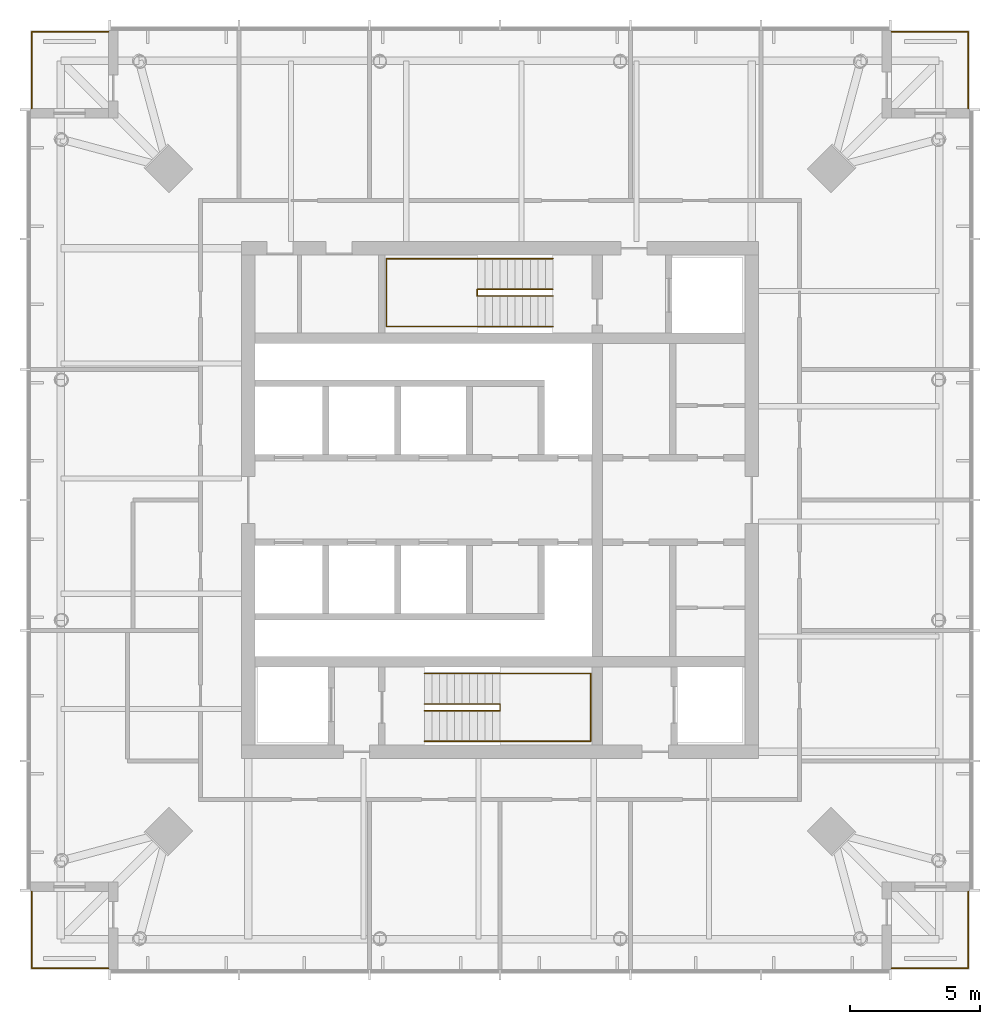
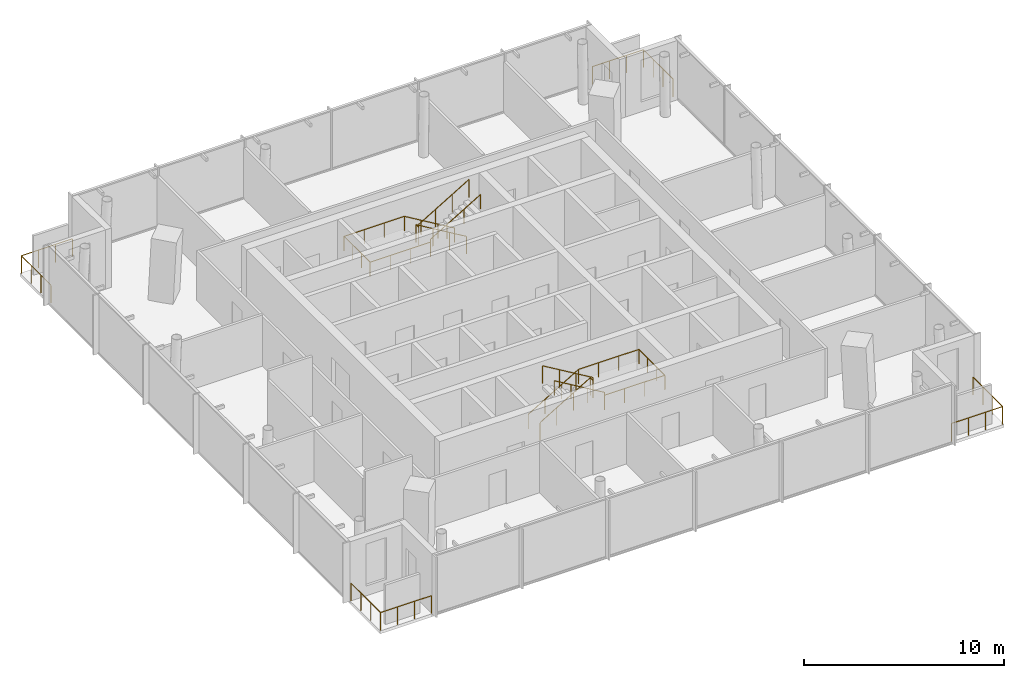
# One storey, part 7 of 7: 8 railings.
"""IFC4 building model written with IfcOpenShell, lengths in metres."""

import ifcopenshell
import ifcopenshell.guid

model = None  # the IFC model being written
_history = None  # IfcOwnerHistory: only IFC2X3 demands one
_inside = {}  # id of a spatial element -> (the spatial element, [elements in it])
_under = {}  # id of a project, library or spatial element -> (it, [spatial elements below it])
_declared = {}  # id of a project -> (the project, [libraries it declares])
_typed = {}  # id of a type object -> (the type object, [elements of that type])
_made_of = {}  # id of a material, layer set ... -> (it, [elements and type objects made of it])


def new_model(schema):
    """Start an empty IFC model of exactly this schema.

    Asked for "IFC4X3", IfcOpenShell would pick the latest addendum, in which some entities
    have other attributes; the version numbers below select the first issue.
    IFC2X3 requires an IfcOwnerHistory on every rooted entity: one is made here for all.
    """
    global model, _history
    if schema == "IFC4X3":
        model = ifcopenshell.file(schema_version=(4, 3, 0, 0))
    else:
        model = ifcopenshell.file(schema=schema)
    _inside.clear()
    _under.clear()
    _declared.clear()
    _typed.clear()
    _made_of.clear()
    _history = None
    if model.schema == "IFC2X3":
        org = make("IfcOrganization", Name="unknown")
        user = make(
            "IfcPersonAndOrganization",
            ThePerson=make("IfcPerson", FamilyName="unknown"),
            TheOrganization=org,
        )
        app = make(
            "IfcApplication",
            ApplicationDeveloper=org,
            Version="unknown",
            ApplicationFullName="unknown",
            ApplicationIdentifier="unknown",
        )
        _history = make(
            "IfcOwnerHistory",
            OwningUser=user,
            OwningApplication=app,
            ChangeAction="ADDED",
            CreationDate=0,
        )
    return model


def make(cls, **values):
    """One entity of the class cls with the attributes given. An attribute that is None is left unset."""
    return model.create_entity(
        cls, **{name: value for name, value in values.items() if value is not None}
    )


def rooted(cls, **values):
    """An entity with a GlobalId (a new one), such as an element, a storey or a relation."""
    return make(cls, GlobalId=ifcopenshell.guid.new(), OwnerHistory=_history, **values)


def si_unit(unit_type, name, prefix=None):
    """IfcSIUnit, for example si_unit("LENGTHUNIT", "METRE", prefix="MILLI")."""
    return make("IfcSIUnit", UnitType=unit_type, Prefix=prefix, Name=name)


def assignment(units):
    """IfcUnitAssignment: the units of a project."""
    return None if units is None else make("IfcUnitAssignment", Units=units)


def point(xyz):
    """IfcCartesianPoint."""
    return None if xyz is None else make("IfcCartesianPoint", Coordinates=xyz)


def direction(xyz):
    """IfcDirection."""
    return None if xyz is None else make("IfcDirection", DirectionRatios=xyz)


def frame(location, z_axis=None, x_axis=None):
    """IfcAxis2Placement3D, a coordinate frame: its origin and axes. An axis left out is left unset."""
    return make(
        "IfcAxis2Placement3D",
        Location=point(location),
        Axis=direction(z_axis),
        RefDirection=direction(x_axis),
    )


def frame_2d(location, x_axis=None):
    """IfcAxis2Placement2D, a coordinate frame in the plane: its origin and x axis."""
    return make(
        "IfcAxis2Placement2D", Location=point(location), RefDirection=direction(x_axis)
    )


def origin():
    """The frame at (0, 0, 0) with its axes left unset."""
    return frame((0.0, 0.0, 0.0))


def origin_2d():
    """The frame at (0, 0) in the plane with its x axis left unset."""
    return frame_2d((0.0, 0.0))


def place(relative_to, where):
    """IfcLocalPlacement: puts the frame where relative to a parent placement (None: the world)."""
    return make(
        "IfcLocalPlacement", PlacementRelTo=relative_to, RelativePlacement=where
    )


def context(
    kind, dimensions, precision=None, world=None, true_north=None, identifier=None
):
    """IfcGeometricRepresentationContext, for example the 3D "Model" context."""
    return make(
        "IfcGeometricRepresentationContext",
        ContextIdentifier=identifier,
        ContextType=kind,
        CoordinateSpaceDimension=dimensions,
        Precision=precision,
        WorldCoordinateSystem=world,
        TrueNorth=true_north,
    )


def subcontext(parent, identifier, kind, view, scale=None):
    """IfcGeometricRepresentationSubContext, for example "Body" below "Model"."""
    return make(
        "IfcGeometricRepresentationSubContext",
        ContextIdentifier=identifier,
        ContextType=kind,
        ParentContext=parent,
        TargetScale=scale,
        TargetView=view,
    )


def project(units=None, contexts=None):
    """IfcProject with its units and contexts."""
    return rooted(
        "IfcProject",
        Name="project",
        RepresentationContexts=contexts,
        UnitsInContext=assignment(units),
    )


def spatial(cls, under=None, at=None, **own):
    """A site, building, storey or space (cls), placed at a placement, below another one or the project."""
    s = rooted(cls, ObjectPlacement=at, **own)
    if under is not None:
        _under.setdefault(under.id(), (under, []))[1].append(s)
    return s


def profile(cls, at=None, kind="AREA", **sizes):
    """A parametric profile (cls). Its sizes go by their IFC names, for example OverallWidth=200.0."""
    return make(cls, ProfileType=kind, Position=at, **sizes)


def circle(**sizes):
    """IfcCircleProfileDef."""
    return profile("IfcCircleProfileDef", **sizes)


def extrude(swept, where, along, depth):
    """IfcExtrudedAreaSolid: the profile swept, set in the frame where, extruded along a direction by depth."""
    return make(
        "IfcExtrudedAreaSolid",
        SweptArea=swept,
        Position=where,
        ExtrudedDirection=direction(along),
        Depth=depth,
    )


def shape(context_of_items, identifier, shape_type, items):
    """IfcShapeRepresentation: the items that make up one representation, for example the "Body"."""
    return make(
        "IfcShapeRepresentation",
        ContextOfItems=context_of_items,
        RepresentationIdentifier=identifier,
        RepresentationType=shape_type,
        Items=items,
    )


def material(Name=None, Category=None):
    """IfcMaterial."""
    return make("IfcMaterial", Name=Name, Category=Category)


def made_of(thing, what):
    """Note that an element or type object is made of a material, layer set ...; save() writes the relation."""
    if what is not None:
        _made_of.setdefault(what.id(), (what, []))[1].append(thing)
    return thing


def type_object(cls, material=None, **own):
    """A type object (cls), such as IfcWallType, which elements share."""
    return made_of(rooted(cls, **own), material)


def element(
    cls,
    number,
    at=None,
    inside=None,
    cuts=None,
    type_object=None,
    material=None,
    context=None,
    identifier="Body",
    shape_type=None,
    held_by="IfcProductDefinitionShape",
    body=None,
    shapes=None,
    **own,
):
    """One element of the class cls, such as IfcWall. Its Tag is "e" and its number.

    at: its placement. inside: the storey or other place that contains it. cuts: it is an
    opening in that element (IfcRelVoidsElement). A single representation is given by context,
    identifier, shape_type and body (its items); several are given by shapes. held_by: the class
    of the entity that holds the representations. save() writes the other relations.
    """
    e = rooted(cls, Tag="e%d" % number, ObjectPlacement=at, **own)
    if body is not None:
        shapes = [shape(context, identifier, shape_type, body)]
    if shapes is not None:
        e.Representation = make(held_by, Representations=shapes)
    if inside is not None:
        _inside.setdefault(inside.id(), (inside, []))[1].append(e)
    if cuts is not None:
        rooted(
            "IfcRelVoidsElement", RelatingBuildingElement=cuts, RelatedOpeningElement=e
        )
    if type_object is not None:
        _typed.setdefault(type_object.id(), (type_object, []))[1].append(e)
    return made_of(e, material)


def aggregate(whole, parts):
    """IfcRelAggregates: a whole, such as a stair, and the parts it consists of."""
    return rooted("IfcRelAggregates", RelatingObject=whole, RelatedObjects=parts)


def save(model, path):
    """Write the relations noted so far, then the file.

    IfcRelAggregates (storeys below a building ...), IfcRelContainedInSpatialStructure (elements
    in a storey), IfcRelDefinesByType, IfcRelAssociatesMaterial and IfcRelDeclares: one each for
    every whole, place, type object, material and project.
    """
    for whole, parts in _under.values():
        aggregate(whole, parts)
    for where, things in _inside.values():
        rooted(
            "IfcRelContainedInSpatialStructure",
            RelatedElements=things,
            RelatingStructure=where,
        )
    for kind, things in _typed.values():
        rooted("IfcRelDefinesByType", RelatedObjects=things, RelatingType=kind)
    for what, things in _made_of.values():
        rooted("IfcRelAssociatesMaterial", RelatedObjects=things, RelatingMaterial=what)
    for by, libraries in _declared.values():
        rooted("IfcRelDeclares", RelatingContext=by, RelatedDefinitions=libraries)
    model.write(path)


model = new_model("IFC4")

# Units and contexts
model_context = context("Model", 3, precision=1e-05, world=origin(), true_north=direction((0.0, 1.0)))
body_context = subcontext(model_context, "Body", "Model", "MODEL_VIEW")
ifc_project = project(units=[si_unit("LENGTHUNIT", "METRE"), si_unit("AREAUNIT", "SQUARE_METRE"), si_unit("VOLUMEUNIT", "CUBIC_METRE"), si_unit("PLANEANGLEUNIT", "RADIAN"), si_unit("MASSUNIT", "GRAM", prefix="KILO")], contexts=[model_context])

# Site, building, storey
site_placement = place(None, origin())
site = spatial("IfcSite", under=ifc_project, at=site_placement, CompositionType="ELEMENT")
building_placement = place(site_placement, origin())
building = spatial("IfcBuilding", under=site, at=building_placement, Name="Ostroluk Exchange", CompositionType="ELEMENT")
storey_placement = place(building_placement, frame((0.0, 0.0, 245.199951171875)))
storey = spatial("IfcBuildingStorey", under=building, at=storey_placement, Name="L63", CompositionType="ELEMENT", Elevation=245.199951171875)

# Railings
ifc_material_1 = material(Name="Stainless steel", Category="steel")
railing_type_1 = type_object("IfcRailingType", Name="Guard 1100 stainless steel", PredefinedType="GUARDRAIL", material=ifc_material_1)
railing_1_placement = place(storey_placement, frame((60.0, 28.050048828125, 0.0)))
element("IfcRailing", 1, at=railing_1_placement, inside=storey, type_object=railing_type_1, Name="Office tower SE balcony guard L63", PredefinedType="GUARDRAIL", context=body_context, shape_type="SweptSolid", body=[
    extrude(circle(Radius=0.02392578125, at=origin_2d()), frame((0.0, 0.0, 1.076171875), z_axis=(1.0, 0.0, 0.0), x_axis=(0.0, 1.0, 0.0)), (0.0, 0.0, 1.0), 2.949951171875),
    extrude(circle(Radius=0.02392578125, at=origin_2d()), frame((2.949951171875, 0.0, 1.076171875), z_axis=(0.0, 1.0, 0.0), x_axis=(-1.0, 0.0, 0.0)), (0.0, 0.0, 1.0), 2.949951171875),
    extrude(circle(Radius=0.02099609375, at=origin_2d()), origin(), (0.0, 0.0, 1.0), 1.052001953125),
    extrude(circle(Radius=0.02099609375, at=origin_2d()), frame((0.9833984375, 0.0, 0.0)), (0.0, 0.0, 1.0), 1.052001953125),
    extrude(circle(Radius=0.02099609375, at=origin_2d()), frame((1.966552734375, 0.0, 0.0)), (0.0, 0.0, 1.0), 1.052001953125),
    extrude(circle(Radius=0.02099609375, at=origin_2d()), frame((2.949951171875, 0.0, 0.0)), (0.0, 0.0, 1.0), 1.052001953125),
    extrude(circle(Radius=0.02099609375, at=origin_2d()), frame((2.949951171875, 0.9833984375, 0.0)), (0.0, 0.0, 1.0), 1.052001953125),
    extrude(circle(Radius=0.02099609375, at=origin_2d()), frame((2.949951171875, 1.966552734375, 0.0)), (0.0, 0.0, 1.0), 1.052001953125),
    extrude(circle(Radius=0.02099609375, at=origin_2d()), frame((2.949951171875, 2.949951171875, 0.0)), (0.0, 0.0, 1.0), 1.052001953125),
])
railing_2_placement = place(storey_placement, frame((60.0, 63.949951171875, 0.0)))
element("IfcRailing", 2, at=railing_2_placement, inside=storey, type_object=railing_type_1, Name="Office tower NE balcony guard L63", PredefinedType="GUARDRAIL", context=body_context, shape_type="SweptSolid", body=[
    extrude(circle(Radius=0.02392578125, at=origin_2d()), frame((0.0, 0.0, 1.076171875), z_axis=(1.0, 0.0, 0.0), x_axis=(0.0, 1.0, 0.0)), (0.0, 0.0, 1.0), 2.949951171875),
    extrude(circle(Radius=0.02392578125, at=origin_2d()), frame((2.949951171875, 0.0, 1.076171875), z_axis=(0.0, -1.0, 0.0), x_axis=(1.0, 0.0, 0.0)), (0.0, 0.0, 1.0), 2.949951171875),
    extrude(circle(Radius=0.02099609375, at=origin_2d()), origin(), (0.0, 0.0, 1.0), 1.052001953125),
    extrude(circle(Radius=0.02099609375, at=origin_2d()), frame((0.9833984375, 0.0, 0.0)), (0.0, 0.0, 1.0), 1.052001953125),
    extrude(circle(Radius=0.02099609375, at=origin_2d()), frame((1.966552734375, 0.0, 0.0)), (0.0, 0.0, 1.0), 1.052001953125),
    extrude(circle(Radius=0.02099609375, at=origin_2d()), frame((2.949951171875, 0.0, 0.0)), (0.0, 0.0, 1.0), 1.052001953125),
    extrude(circle(Radius=0.02099609375, at=origin_2d()), frame((2.949951171875, -0.9833984375, 0.0)), (0.0, 0.0, 1.0), 1.052001953125),
    extrude(circle(Radius=0.02099609375, at=origin_2d()), frame((2.949951171875, -1.966552734375, 0.0)), (0.0, 0.0, 1.0), 1.052001953125),
    extrude(circle(Radius=0.02099609375, at=origin_2d()), frame((2.949951171875, -2.949951171875, 0.0)), (0.0, 0.0, 1.0), 1.052001953125),
])
railing_3_placement = place(storey_placement, frame((30.0, 63.949951171875, 0.0)))
element("IfcRailing", 3, at=railing_3_placement, inside=storey, type_object=railing_type_1, Name="Office tower NW balcony guard L63", PredefinedType="GUARDRAIL", context=body_context, shape_type="SweptSolid", body=[
    extrude(circle(Radius=0.02392578125, at=origin_2d()), frame((0.0, 0.0, 1.076171875), z_axis=(-1.0, 0.0, 0.0), x_axis=(0.0, -1.0, 0.0)), (0.0, 0.0, 1.0), 2.949951171875),
    extrude(circle(Radius=0.02392578125, at=origin_2d()), frame((-2.949951171875, 0.0, 1.076171875), z_axis=(0.0, -1.0, 0.0), x_axis=(1.0, 0.0, 0.0)), (0.0, 0.0, 1.0), 2.949951171875),
    extrude(circle(Radius=0.02099609375, at=origin_2d()), origin(), (0.0, 0.0, 1.0), 1.052001953125),
    extrude(circle(Radius=0.02099609375, at=origin_2d()), frame((-0.9833984375, 0.0, 0.0)), (0.0, 0.0, 1.0), 1.052001953125),
    extrude(circle(Radius=0.02099609375, at=origin_2d()), frame((-1.966552734375, 0.0, 0.0)), (0.0, 0.0, 1.0), 1.052001953125),
    extrude(circle(Radius=0.02099609375, at=origin_2d()), frame((-2.949951171875, 0.0, 0.0)), (0.0, 0.0, 1.0), 1.052001953125),
    extrude(circle(Radius=0.02099609375, at=origin_2d()), frame((-2.949951171875, -0.9833984375, 0.0)), (0.0, 0.0, 1.0), 1.052001953125),
    extrude(circle(Radius=0.02099609375, at=origin_2d()), frame((-2.949951171875, -1.966552734375, 0.0)), (0.0, 0.0, 1.0), 1.052001953125),
    extrude(circle(Radius=0.02099609375, at=origin_2d()), frame((-2.949951171875, -2.949951171875, 0.0)), (0.0, 0.0, 1.0), 1.052001953125),
])
railing_4_placement = place(storey_placement, frame((30.0, 28.050048828125, 0.0)))
element("IfcRailing", 4, at=railing_4_placement, inside=storey, type_object=railing_type_1, Name="Office tower SW balcony guard L63", PredefinedType="GUARDRAIL", context=body_context, shape_type="SweptSolid", body=[
    extrude(circle(Radius=0.02392578125, at=origin_2d()), frame((0.0, 0.0, 1.076171875), z_axis=(-1.0, 0.0, 0.0), x_axis=(0.0, -1.0, 0.0)), (0.0, 0.0, 1.0), 2.949951171875),
    extrude(circle(Radius=0.02392578125, at=origin_2d()), frame((-2.949951171875, 0.0, 1.076171875), z_axis=(0.0, 1.0, 0.0), x_axis=(-1.0, 0.0, 0.0)), (0.0, 0.0, 1.0), 2.949951171875),
    extrude(circle(Radius=0.02099609375, at=origin_2d()), origin(), (0.0, 0.0, 1.0), 1.052001953125),
    extrude(circle(Radius=0.02099609375, at=origin_2d()), frame((-0.9833984375, 0.0, 0.0)), (0.0, 0.0, 1.0), 1.052001953125),
    extrude(circle(Radius=0.02099609375, at=origin_2d()), frame((-1.966552734375, 0.0, 0.0)), (0.0, 0.0, 1.0), 1.052001953125),
    extrude(circle(Radius=0.02099609375, at=origin_2d()), frame((-2.949951171875, 0.0, 0.0)), (0.0, 0.0, 1.0), 1.052001953125),
    extrude(circle(Radius=0.02099609375, at=origin_2d()), frame((-2.949951171875, 0.9833984375, 0.0)), (0.0, 0.0, 1.0), 1.052001953125),
    extrude(circle(Radius=0.02099609375, at=origin_2d()), frame((-2.949951171875, 1.966552734375, 0.0)), (0.0, 0.0, 1.0), 1.052001953125),
    extrude(circle(Radius=0.02099609375, at=origin_2d()), frame((-2.949951171875, 2.949951171875, 0.0)), (0.0, 0.0, 1.0), 1.052001953125),
])
ifc_material_2 = material(Name="Steel S355", Category="steel")
railing_type_2 = type_object("IfcRailingType", Name="Stair guard 1100", PredefinedType="GUARDRAIL", material=ifc_material_2)
railing_5_placement = place(storey_placement, frame((42.10009765625, 38.179931640625, 0.1728515625)))
element("IfcRailing", 5, at=railing_5_placement, inside=storey, type_object=railing_type_2, Name="Stair T1-S1 guard L63", PredefinedType="GUARDRAIL", context=body_context, shape_type="SweptSolid", body=[
    extrude(circle(Radius=0.02392578125, at=origin_2d()), frame((0.0, 0.0, 1.076171875), z_axis=(0.859141464434, 0.0, 0.511738159696), x_axis=(0.0, 1.0, 0.0)), (0.0, 0.0, 1.0), 3.375244140625),
    extrude(circle(Radius=0.02392578125, at=origin_2d()), frame((2.89990234375, 0.0, 2.80322265625), z_axis=(0.0, -1.0, 0.0), x_axis=(1.0, 0.0, 0.0)), (0.0, 0.0, 1.0), 0.260009765625),
    extrude(circle(Radius=0.02392578125, at=origin_2d()), frame((2.89990234375, -0.260009765625, 2.80322265625), z_axis=(0.0, 0.0, 1.0), x_axis=(1.0, 0.0, 0.0)), (0.0, 0.0, 1.0), 0.172607421875),
    extrude(circle(Radius=0.02392578125, at=origin_2d()), frame((2.89990234375, -0.260009765625, 2.97607421875), z_axis=(-0.859141464434, 0.0, 0.511738159696), x_axis=(0.0, -1.0, 0.0)), (0.0, 0.0, 1.0), 3.375244140625),
    extrude(circle(Radius=0.02099609375, at=origin_2d()), origin(), (0.0, 0.0, 1.0), 1.052001953125),
    extrude(circle(Radius=0.02099609375, at=origin_2d()), frame((0.966552734375, 0.0, 0.57568359375)), (0.0, 0.0, 1.0), 1.052001953125),
    extrude(circle(Radius=0.02099609375, at=origin_2d()), frame((1.933349609375, 0.0, 1.151611328125)), (0.0, 0.0, 1.0), 1.052001953125),
    extrude(circle(Radius=0.02099609375, at=origin_2d()), frame((2.89990234375, 0.0, 1.727294921875)), (0.0, 0.0, 1.0), 1.052001953125),
    extrude(circle(Radius=0.02099609375, at=origin_2d()), frame((2.89990234375, -0.260009765625, 1.727294921875)), (0.0, 0.0, 1.0), 1.052001953125),
    extrude(circle(Radius=0.02099609375, at=origin_2d()), frame((2.89990234375, -0.260009765625, 1.89990234375)), (0.0, 0.0, 1.0), 1.052001953125),
    extrude(circle(Radius=0.02099609375, at=origin_2d()), frame((1.933349609375, -0.260009765625, 2.4755859375)), (0.0, 0.0, 1.0), 1.052001953125),
    extrude(circle(Radius=0.02099609375, at=origin_2d()), frame((0.966552734375, -0.260009765625, 3.051513671875)), (0.0, 0.0, 1.0), 1.052001953125),
    extrude(circle(Radius=0.02099609375, at=origin_2d()), frame((0.0, -0.260009765625, 3.627197265625)), (0.0, 0.0, 1.0), 1.052001953125),
])
railing_6_placement = place(storey_placement, frame((47.030029296875, 54.080078125, 0.1728515625)))
element("IfcRailing", 6, at=railing_6_placement, inside=storey, type_object=railing_type_2, Name="Stair T1-S2 guard L63", PredefinedType="GUARDRAIL", context=body_context, shape_type="SweptSolid", body=[
    extrude(circle(Radius=0.02392578125, at=origin_2d()), frame((0.0, 0.0, 1.076171875), z_axis=(-0.859160404282, 0.0, 0.51170636083), x_axis=(0.0, -1.0, 0.0)), (0.0, 0.0, 1.0), 3.37548828125),
    extrude(circle(Radius=0.02392578125, at=origin_2d()), frame((-2.900146484375, 0.0, 2.80322265625), z_axis=(0.0, -1.0, 0.0), x_axis=(1.0, 0.0, 0.0)), (0.0, 0.0, 1.0), 0.260009765625),
    extrude(circle(Radius=0.02392578125, at=origin_2d()), frame((-2.900146484375, -0.260009765625, 2.80322265625), z_axis=(0.0, 0.0, 1.0), x_axis=(1.0, 0.0, 0.0)), (0.0, 0.0, 1.0), 0.172607421875),
    extrude(circle(Radius=0.02392578125, at=origin_2d()), frame((-2.900146484375, -0.260009765625, 2.97607421875), z_axis=(0.859160404282, 0.0, 0.51170636083), x_axis=(0.0, 1.0, 0.0)), (0.0, 0.0, 1.0), 3.37548828125),
    extrude(circle(Radius=0.02099609375, at=origin_2d()), origin(), (0.0, 0.0, 1.0), 1.052001953125),
    extrude(circle(Radius=0.02099609375, at=origin_2d()), frame((-0.966796875, 0.0, 0.57568359375)), (0.0, 0.0, 1.0), 1.052001953125),
    extrude(circle(Radius=0.02099609375, at=origin_2d()), frame((-1.933349609375, 0.0, 1.151611328125)), (0.0, 0.0, 1.0), 1.052001953125),
    extrude(circle(Radius=0.02099609375, at=origin_2d()), frame((-2.900146484375, 0.0, 1.727294921875)), (0.0, 0.0, 1.0), 1.052001953125),
    extrude(circle(Radius=0.02099609375, at=origin_2d()), frame((-2.900146484375, -0.260009765625, 1.727294921875)), (0.0, 0.0, 1.0), 1.052001953125),
    extrude(circle(Radius=0.02099609375, at=origin_2d()), frame((-2.900146484375, -0.260009765625, 1.89990234375)), (0.0, 0.0, 1.0), 1.052001953125),
    extrude(circle(Radius=0.02099609375, at=origin_2d()), frame((-1.933349609375, -0.260009765625, 2.4755859375)), (0.0, 0.0, 1.0), 1.052001953125),
    extrude(circle(Radius=0.02099609375, at=origin_2d()), frame((-0.966796875, -0.260009765625, 3.051513671875)), (0.0, 0.0, 1.0), 1.052001953125),
    extrude(circle(Radius=0.02099609375, at=origin_2d()), frame((0.0, -0.260009765625, 3.627197265625)), (0.0, 0.0, 1.0), 1.052001953125),
])
ifc_material_3 = material(Name="Stainless steel", Category="steel")
railing_type_3 = type_object("IfcRailingType", Name="Stair handrail 900", PredefinedType="HANDRAIL", material=ifc_material_3)
railing_7_placement = place(storey_placement, frame((42.10009765625, 39.35009765625, 0.1728515625)))
element("IfcRailing", 7, at=railing_7_placement, inside=storey, type_object=railing_type_3, Name="Stair T1-S1 handrail L63", PredefinedType="HANDRAIL", context=body_context, shape_type="SweptSolid", body=[
    extrude(circle(Radius=0.02392578125, at=origin_2d()), frame((0.0, 0.0, 0.8759765625), z_axis=(0.859141464434, 0.0, 0.511738159696), x_axis=(0.0, 1.0, 0.0)), (0.0, 0.0, 1.0), 3.375244140625),
    extrude(circle(Radius=0.02392578125, at=origin_2d()), frame((2.89990234375, 0.0, 2.60302734375), z_axis=(1.0, 0.0, 0.0), x_axis=(0.0, 1.0, 0.0)), (0.0, 0.0, 1.0), 3.47998046875),
    extrude(circle(Radius=0.02392578125, at=origin_2d()), frame((6.3798828125, 0.0, 2.60302734375), z_axis=(0.0, -1.0, 0.0), x_axis=(1.0, 0.0, 0.0)), (0.0, 0.0, 1.0), 2.60009765625),
    extrude(circle(Radius=0.02392578125, at=origin_2d()), frame((6.3798828125, -2.60009765625, 2.60302734375), z_axis=(-1.0, 0.0, 0.0), x_axis=(0.0, -1.0, 0.0)), (0.0, 0.0, 1.0), 3.47998046875),
    extrude(circle(Radius=0.02392578125, at=origin_2d()), frame((2.89990234375, -2.60009765625, 2.60302734375), z_axis=(0.0, 0.0, 1.0), x_axis=(1.0, 0.0, 0.0)), (0.0, 0.0, 1.0), 0.172607421875),
    extrude(circle(Radius=0.02392578125, at=origin_2d()), frame((2.89990234375, -2.60009765625, 2.77587890625), z_axis=(-0.859141464434, 0.0, 0.511738159696), x_axis=(0.0, -1.0, 0.0)), (0.0, 0.0, 1.0), 3.375244140625),
    extrude(circle(Radius=0.02099609375, at=origin_2d()), origin(), (0.0, 0.0, 1.0), 0.851806640625),
    extrude(circle(Radius=0.02099609375, at=origin_2d()), frame((0.966552734375, 0.0, 0.57568359375)), (0.0, 0.0, 1.0), 0.851806640625),
    extrude(circle(Radius=0.02099609375, at=origin_2d()), frame((1.933349609375, 0.0, 1.151611328125)), (0.0, 0.0, 1.0), 0.851806640625),
    extrude(circle(Radius=0.02099609375, at=origin_2d()), frame((2.89990234375, 0.0, 1.727294921875)), (0.0, 0.0, 1.0), 0.851806640625),
    extrude(circle(Radius=0.02099609375, at=origin_2d()), frame((4.059814453125, 0.0, 1.727294921875)), (0.0, 0.0, 1.0), 0.851806640625),
    extrude(circle(Radius=0.02099609375, at=origin_2d()), frame((5.219970703125, 0.0, 1.727294921875)), (0.0, 0.0, 1.0), 0.851806640625),
    extrude(circle(Radius=0.02099609375, at=origin_2d()), frame((6.3798828125, 0.0, 1.727294921875)), (0.0, 0.0, 1.0), 0.851806640625),
    extrude(circle(Radius=0.02099609375, at=origin_2d()), frame((6.3798828125, -0.86669921875, 1.727294921875)), (0.0, 0.0, 1.0), 0.851806640625),
    extrude(circle(Radius=0.02099609375, at=origin_2d()), frame((6.3798828125, -1.7333984375, 1.727294921875)), (0.0, 0.0, 1.0), 0.851806640625),
    extrude(circle(Radius=0.02099609375, at=origin_2d()), frame((6.3798828125, -2.60009765625, 1.727294921875)), (0.0, 0.0, 1.0), 0.851806640625),
    extrude(circle(Radius=0.02099609375, at=origin_2d()), frame((5.219970703125, -2.60009765625, 1.727294921875)), (0.0, 0.0, 1.0), 0.851806640625),
    extrude(circle(Radius=0.02099609375, at=origin_2d()), frame((4.059814453125, -2.60009765625, 1.727294921875)), (0.0, 0.0, 1.0), 0.851806640625),
    extrude(circle(Radius=0.02099609375, at=origin_2d()), frame((2.89990234375, -2.60009765625, 1.727294921875)), (0.0, 0.0, 1.0), 0.851806640625),
    extrude(circle(Radius=0.02099609375, at=origin_2d()), frame((2.89990234375, -2.60009765625, 1.89990234375)), (0.0, 0.0, 1.0), 0.851806640625),
    extrude(circle(Radius=0.02099609375, at=origin_2d()), frame((1.933349609375, -2.60009765625, 2.4755859375)), (0.0, 0.0, 1.0), 0.851806640625),
    extrude(circle(Radius=0.02099609375, at=origin_2d()), frame((0.966552734375, -2.60009765625, 3.051513671875)), (0.0, 0.0, 1.0), 0.851806640625),
    extrude(circle(Radius=0.02099609375, at=origin_2d()), frame((0.0, -2.60009765625, 3.627197265625)), (0.0, 0.0, 1.0), 0.851806640625),
])
railing_8_placement = place(storey_placement, frame((47.030029296875, 55.25, 0.1728515625)))
element("IfcRailing", 8, at=railing_8_placement, inside=storey, type_object=railing_type_3, Name="Stair T1-S2 handrail L63", PredefinedType="HANDRAIL", context=body_context, shape_type="SweptSolid", body=[
    extrude(circle(Radius=0.02392578125, at=origin_2d()), frame((0.0, 0.0, 0.8759765625), z_axis=(-0.859160404282, 0.0, 0.51170636083), x_axis=(0.0, -1.0, 0.0)), (0.0, 0.0, 1.0), 3.37548828125),
    extrude(circle(Radius=0.02392578125, at=origin_2d()), frame((-2.900146484375, 0.0, 2.60302734375), z_axis=(-1.0, 0.0, 0.0), x_axis=(0.0, -1.0, 0.0)), (0.0, 0.0, 1.0), 3.47998046875),
    extrude(circle(Radius=0.02392578125, at=origin_2d()), frame((-6.380126953125, 0.0, 2.60302734375), z_axis=(0.0, -1.0, 0.0), x_axis=(1.0, 0.0, 0.0)), (0.0, 0.0, 1.0), 2.60009765625),
    extrude(circle(Radius=0.02392578125, at=origin_2d()), frame((-6.380126953125, -2.60009765625, 2.60302734375), z_axis=(1.0, 0.0, 0.0), x_axis=(0.0, 1.0, 0.0)), (0.0, 0.0, 1.0), 3.47998046875),
    extrude(circle(Radius=0.02392578125, at=origin_2d()), frame((-2.900146484375, -2.60009765625, 2.60302734375), z_axis=(0.0, 0.0, 1.0), x_axis=(1.0, 0.0, 0.0)), (0.0, 0.0, 1.0), 0.172607421875),
    extrude(circle(Radius=0.02392578125, at=origin_2d()), frame((-2.900146484375, -2.60009765625, 2.77587890625), z_axis=(0.859160404282, 0.0, 0.51170636083), x_axis=(0.0, 1.0, 0.0)), (0.0, 0.0, 1.0), 3.37548828125),
    extrude(circle(Radius=0.02099609375, at=origin_2d()), origin(), (0.0, 0.0, 1.0), 0.851806640625),
    extrude(circle(Radius=0.02099609375, at=origin_2d()), frame((-0.966796875, 0.0, 0.57568359375)), (0.0, 0.0, 1.0), 0.851806640625),
    extrude(circle(Radius=0.02099609375, at=origin_2d()), frame((-1.933349609375, 0.0, 1.151611328125)), (0.0, 0.0, 1.0), 0.851806640625),
    extrude(circle(Radius=0.02099609375, at=origin_2d()), frame((-2.900146484375, 0.0, 1.727294921875)), (0.0, 0.0, 1.0), 0.851806640625),
    extrude(circle(Radius=0.02099609375, at=origin_2d()), frame((-4.06005859375, 0.0, 1.727294921875)), (0.0, 0.0, 1.0), 0.851806640625),
    extrude(circle(Radius=0.02099609375, at=origin_2d()), frame((-5.22021484375, 0.0, 1.727294921875)), (0.0, 0.0, 1.0), 0.851806640625),
    extrude(circle(Radius=0.02099609375, at=origin_2d()), frame((-6.380126953125, 0.0, 1.727294921875)), (0.0, 0.0, 1.0), 0.851806640625),
    extrude(circle(Radius=0.02099609375, at=origin_2d()), frame((-6.380126953125, -0.86669921875, 1.727294921875)), (0.0, 0.0, 1.0), 0.851806640625),
    extrude(circle(Radius=0.02099609375, at=origin_2d()), frame((-6.380126953125, -1.7333984375, 1.727294921875)), (0.0, 0.0, 1.0), 0.851806640625),
    extrude(circle(Radius=0.02099609375, at=origin_2d()), frame((-6.380126953125, -2.60009765625, 1.727294921875)), (0.0, 0.0, 1.0), 0.851806640625),
    extrude(circle(Radius=0.02099609375, at=origin_2d()), frame((-5.22021484375, -2.60009765625, 1.727294921875)), (0.0, 0.0, 1.0), 0.851806640625),
    extrude(circle(Radius=0.02099609375, at=origin_2d()), frame((-4.06005859375, -2.60009765625, 1.727294921875)), (0.0, 0.0, 1.0), 0.851806640625),
    extrude(circle(Radius=0.02099609375, at=origin_2d()), frame((-2.900146484375, -2.60009765625, 1.727294921875)), (0.0, 0.0, 1.0), 0.851806640625),
    extrude(circle(Radius=0.02099609375, at=origin_2d()), frame((-2.900146484375, -2.60009765625, 1.89990234375)), (0.0, 0.0, 1.0), 0.851806640625),
    extrude(circle(Radius=0.02099609375, at=origin_2d()), frame((-1.933349609375, -2.60009765625, 2.4755859375)), (0.0, 0.0, 1.0), 0.851806640625),
    extrude(circle(Radius=0.02099609375, at=origin_2d()), frame((-0.966796875, -2.60009765625, 3.051513671875)), (0.0, 0.0, 1.0), 0.851806640625),
    extrude(circle(Radius=0.02099609375, at=origin_2d()), frame((0.0, -2.60009765625, 3.627197265625)), (0.0, 0.0, 1.0), 0.851806640625),
])

save(model, "model.ifc")
